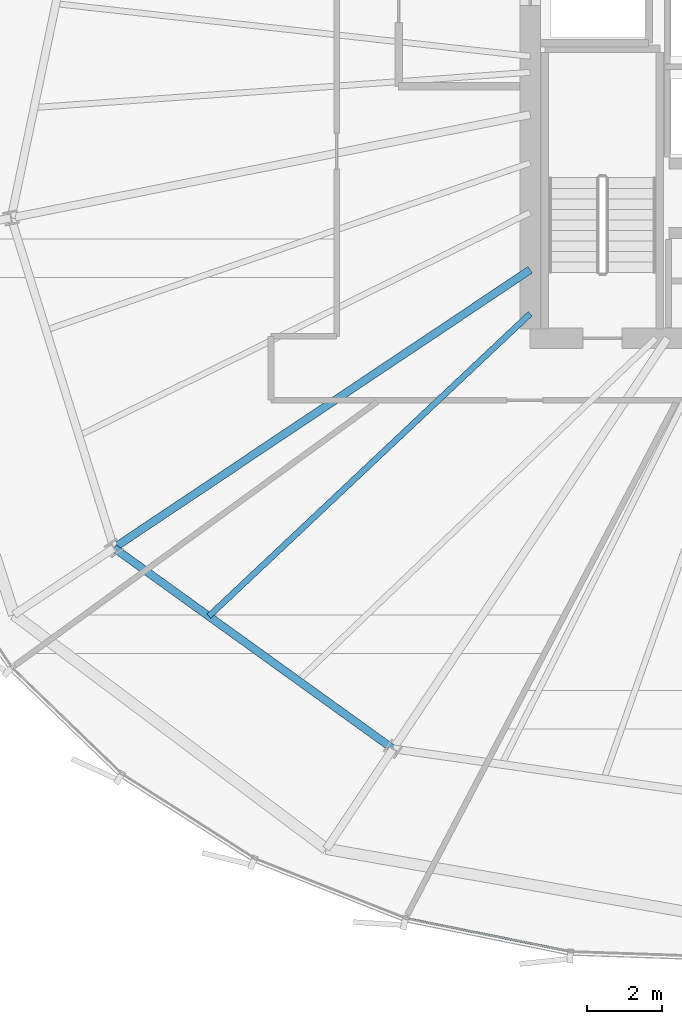
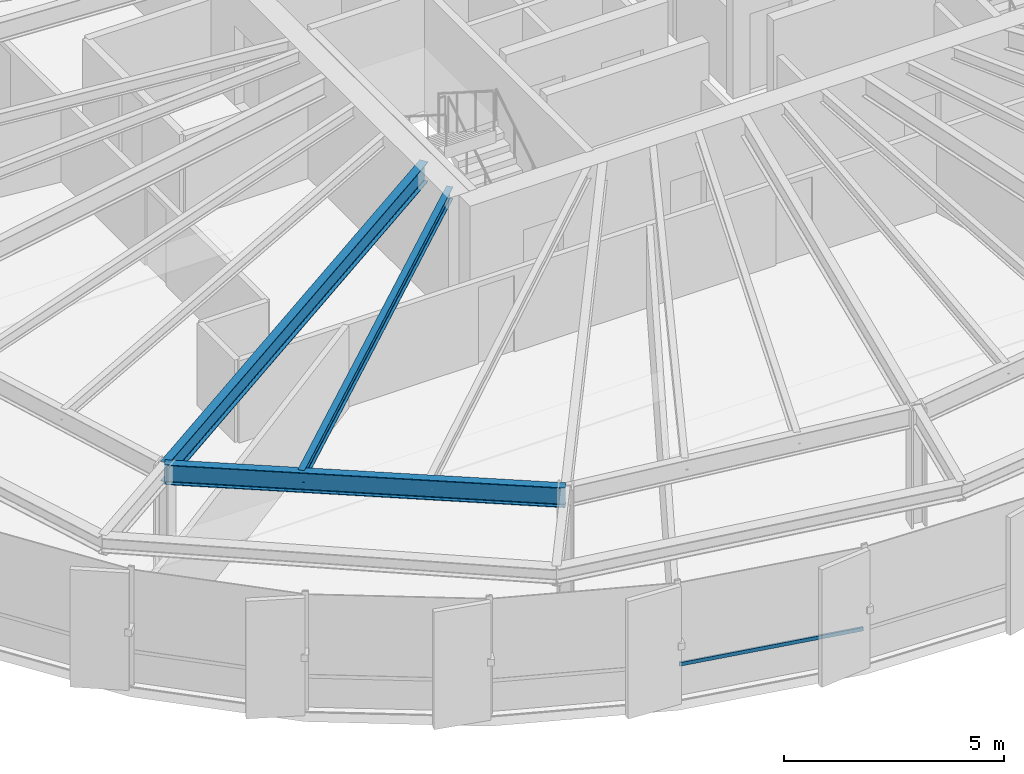
# One storey, part 4 of 35: 3 beams, 1 member, 1 element without a shape of its own.
"""IFC4 building model written with IfcOpenShell, lengths in metres."""

from ifc_helpers import new_model, si_unit, direction, frame, origin, origin_2d, place, context, subcontext, project, spatial, hollow_rectangle, i_section, extrude, source, transform, mapped, material, layer, layer_set, material_profile, profile_set, type_object, element, aggregate, save


model = new_model("IFC4")

# Units and contexts
model_context = context("Model", 3, precision=1e-05, world=origin(), true_north=direction((0.0, 1.0)))
body_context = subcontext(model_context, "Body", "Model", "MODEL_VIEW")
ifc_project = project(units=[si_unit("LENGTHUNIT", "METRE"), si_unit("AREAUNIT", "SQUARE_METRE"), si_unit("VOLUMEUNIT", "CUBIC_METRE"), si_unit("PLANEANGLEUNIT", "RADIAN"), si_unit("MASSUNIT", "GRAM", prefix="KILO"), si_unit("THERMODYNAMICTEMPERATUREUNIT", "KELVIN")], contexts=[model_context])

# Site, building, storey
site_placement = place(None, origin())
site = spatial("IfcSite", under=ifc_project, at=site_placement, CompositionType="ELEMENT")
building_placement = place(site_placement, origin())
building = spatial("IfcBuilding", under=site, at=building_placement, Name="Kethvar Cultural Tower", CompositionType="ELEMENT")
storey_placement = place(building_placement, frame((0.0, 0.0, 146.550048828125)))
storey = spatial("IfcBuildingStorey", under=building, at=storey_placement, Name="L37", CompositionType="ELEMENT", Elevation=146.550048828125)

# Beams
ifc_material_1 = material(Name="Steel S355J2", Category="steel")
ifc_material_profile_1 = material_profile(ifc_material_1, i_section(OverallWidth=0.2099609375, OverallDepth=0.550048828125, WebThickness=0.010986328125, FlangeThickness=0.01708984375, FilletRadius=0.02392578125, at=origin_2d()), Name="Steel S355J2 — IPE550")
ifc_profile_set_1 = profile_set([ifc_material_profile_1], Name="Steel S355J2 — IPE550")
beam_type_1 = type_object("IfcBeamType", Name="BM-IPE550", PredefinedType="BEAM", material=ifc_profile_set_1)
shared_shape_1 = source(origin(), body_context, "Body", "SweptSolid", [
    extrude(i_section(OverallWidth=0.2099609375, OverallDepth=0.550048828125, WebThickness=0.010986328125, FlangeThickness=0.01708984375, FilletRadius=0.02392578125, at=origin_2d()), origin(), (0.0, 0.0, 1.0), 13.324951171875),
])
beam_1_placement = place(storey_placement, frame((38.0, 21.919921875, 3.02294921875), z_axis=(-0.831474815475, -0.555562445843, 0.0), x_axis=(0.555562445843, -0.831474815475, 0.0)))
element("IfcBeam", 1, at=beam_1_placement, inside=storey, type_object=beam_type_1, Name="L37 Primary Radial Beam RB-10", PredefinedType="BEAM", context=body_context, shape_type="MappedRepresentation", body=[
    mapped(shared_shape_1, transform((0.0, 0.0, 0.0), scale=1.0)),
])
shared_shape_2 = source(origin(), body_context, "Body", "SweptSolid", [
    extrude(i_section(OverallWidth=0.2099609375, OverallDepth=0.550048828125, WebThickness=0.010986328125, FlangeThickness=0.01708984375, FilletRadius=0.02392578125, at=origin_2d()), origin(), (0.0, 0.0, 1.0), 9.155029296875),
])
beam_2_placement = place(storey_placement, frame((26.920654296875, 14.51708984375, 3.02294921875), z_axis=(0.811590987974, -0.584226042076, 0.0), x_axis=(0.584226042076, 0.811590987974, 0.0)))
element("IfcBeam", 2, at=beam_2_placement, inside=storey, type_object=beam_type_1, Name="L37 Column Ring Tie Beam CR-10", PredefinedType="BEAM", context=body_context, shape_type="MappedRepresentation", body=[
    mapped(shared_shape_2, transform((0.0, 0.0, 0.0), scale=1.0)),
])
ifc_material_profile_2 = material_profile(ifc_material_1, i_section(OverallWidth=0.159912109375, OverallDepth=0.330078125, WebThickness=0.007568359375, FlangeThickness=0.011474609375, FilletRadius=0.01806640625, at=origin_2d()), Name="Steel S355J2 — IPE330")
ifc_profile_set_2 = profile_set([ifc_material_profile_2], Name="Steel S355J2 — IPE330")
beam_type_2 = type_object("IfcBeamType", Name="BM-J330", PredefinedType="JOIST", material=ifc_profile_set_2)
shared_shape_3 = source(origin(), body_context, "Body", "SweptSolid", [
    extrude(i_section(OverallWidth=0.159912109375, OverallDepth=0.330078125, WebThickness=0.007568359375, FlangeThickness=0.011474609375, FilletRadius=0.01806640625, at=origin_2d()), origin(), (0.0, 0.0, 1.0), 11.74658203125),
])
beam_3_placement = place(storey_placement, frame((38.0, 20.75, 3.133056640625), z_axis=(-0.728129818661, -0.685439251266, 0.0), x_axis=(0.685439251266, -0.728129818661, 0.0)))
element("IfcBeam", 3, at=beam_3_placement, inside=storey, type_object=beam_type_2, Name="L37 Composite Floor Joist J-10A", PredefinedType="JOIST", context=body_context, shape_type="MappedRepresentation", body=[
    mapped(shared_shape_3, transform((0.0, 0.0, 0.0), scale=1.0)),
])

# Curtain wall, member
ifc_material_2 = material(Name="Aluminium 6063-T6", Category="aluminium")
ifc_layer = layer(ifc_material_2, 0.179931640625, Name="Aluminium 6063-T6", Category="aluminium")
ifc_layer_set = layer_set([ifc_layer], Name="Aluminium 6063-T6 (180 mm)")
curtain_wall_type = type_object("IfcCurtainWallType", Name="CW-SYS-04-Z34", PredefinedType="NOTDEFINED", material=ifc_layer_set)
curtain_wall_placement = place(storey_placement, origin())
curtain_wall = element("IfcCurtainWall", 4, at=curtain_wall_placement, inside=storey, type_object=curtain_wall_type, Name="L37 Curtain Wall Run 04", PredefinedType="NOTDEFINED")
ifc_material_profile_3 = material_profile(ifc_material_2, hollow_rectangle(XDim=0.050048828125, YDim=0.10009765625, WallThickness=0.00390625, at=origin_2d()), Name="Aluminium 6063-T6 — RHS100x50x4")
ifc_profile_set_3 = profile_set([ifc_material_profile_3], Name="Aluminium 6063-T6 — RHS100x50x4")
member_type = type_object("IfcMemberType", Name="CW-SYS-04-Z34-TRN", PredefinedType="USERDEFINED", material=ifc_profile_set_3)
shared_shape_4 = source(origin(), body_context, "Body", "SweptSolid", [
    extrude(hollow_rectangle(XDim=0.050048828125, YDim=0.10009765625, WallThickness=0.00390625, at=origin_2d()), origin(), (0.0, 0.0, 1.0), 4.408447265625),
])
member_placement = place(storey_placement, frame((34.724609375, 4.655517578125, 0.949951171875), z_axis=(0.980115742086, -0.198426641648, 0.0), x_axis=(0.198426641648, 0.980115742086, 0.0)))
member = element("IfcMember", 5, at=member_placement, type_object=member_type, Name="CW-L37-R04 Transom 5", ObjectType="TRANSOM", PredefinedType="USERDEFINED", context=body_context, shape_type="MappedRepresentation", body=[
    mapped(shared_shape_4, transform((0.0, 0.0, 0.0), scale=1.0)),
])
aggregate(curtain_wall, [member])

save(model, "model.ifc")
